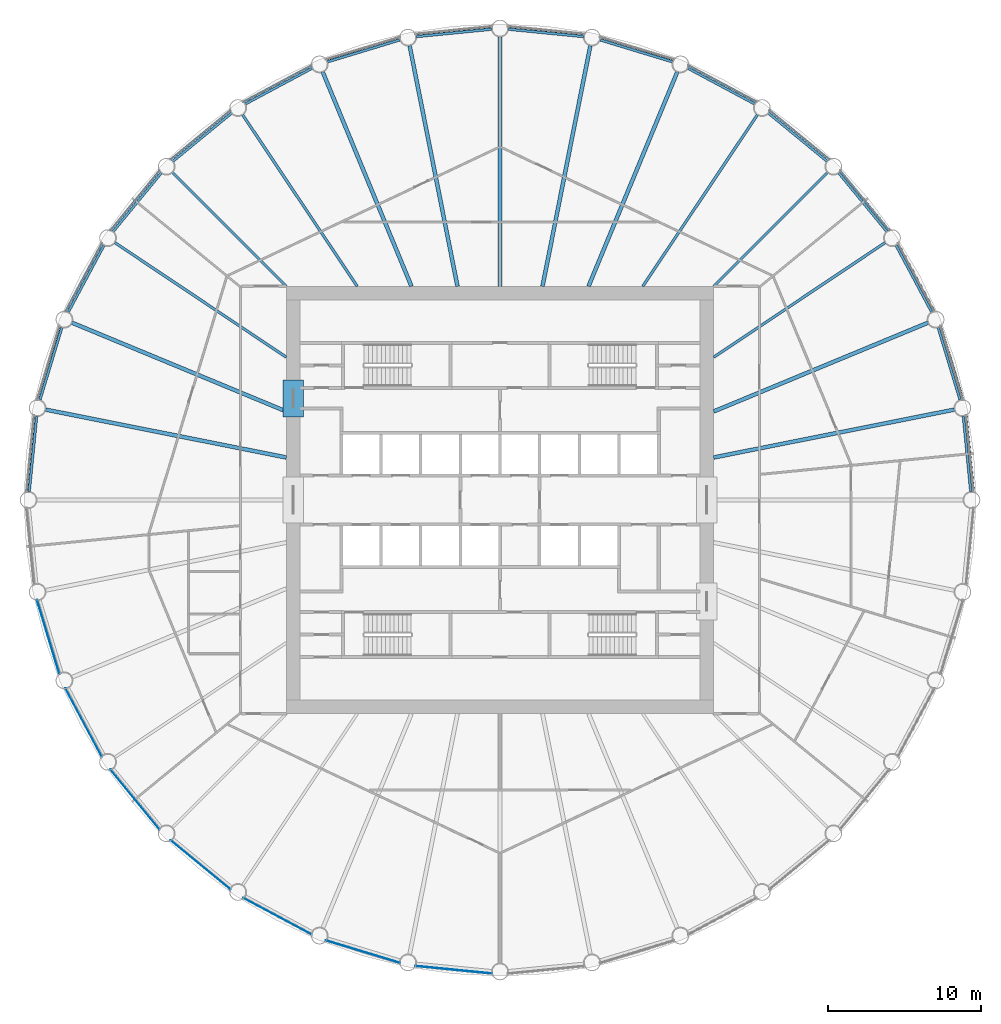
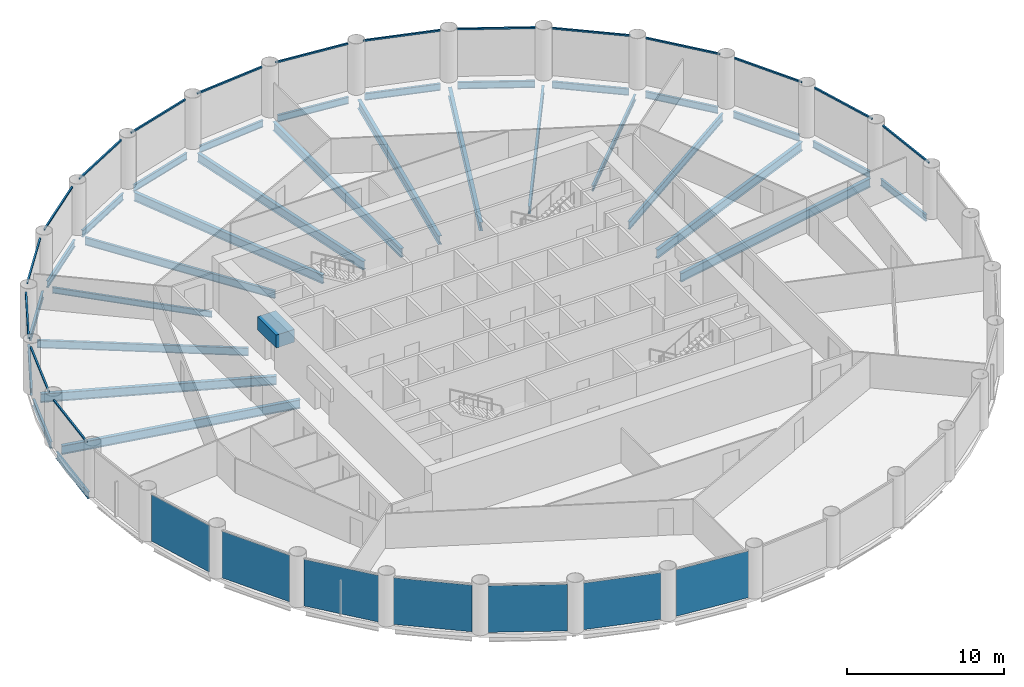
# One storey, part 2 of 9: 32 beams, 16 members, 7 plates, 23 elements without a shape of their own.
"""IFC4 building model written with IfcOpenShell, lengths in metres."""

from ifc_helpers import new_model, si_unit, direction, frame, origin, origin_2d, place, context, subcontext, project, spatial, rectangle, i_section, extrude, material, layer, layer_set, material_profile, profile_set, type_object, element, aggregate, save


model = new_model("IFC4")

# Units and contexts
model_context = context("Model", 3, precision=1e-05, world=origin(), true_north=direction((0.0, 1.0)))
body_context = subcontext(model_context, "Body", "Model", "MODEL_VIEW")
ifc_project = project(units=[si_unit("LENGTHUNIT", "METRE"), si_unit("AREAUNIT", "SQUARE_METRE"), si_unit("VOLUMEUNIT", "CUBIC_METRE"), si_unit("PLANEANGLEUNIT", "RADIAN"), si_unit("MASSUNIT", "GRAM", prefix="KILO")], contexts=[model_context])

# Site, building, storey
site_placement = place(None, origin())
site = spatial("IfcSite", under=ifc_project, at=site_placement, CompositionType="ELEMENT")
building_placement = place(site_placement, origin())
building = spatial("IfcBuilding", under=site, at=building_placement, Name="Corvane Civic Tower", CompositionType="ELEMENT")
storey_placement = place(building_placement, frame((0.0, 0.0, 172.0)))
storey = spatial("IfcBuildingStorey", under=building, at=storey_placement, Name="L40", CompositionType="ELEMENT", Elevation=172.0)

# Beams
ifc_material_1 = material(Name="Concrete C60/75", Category="concrete")
ifc_material_profile_1 = material_profile(ifc_material_1, rectangle(XDim=1.35009765625, YDim=1.0, at=origin_2d()), Name="COUPLING BEAM 1350X1000")
ifc_profile_set_1 = profile_set([ifc_material_profile_1], Name="Concrete C60/75")
beam_type_1 = type_object("IfcBeamType", Name="COUPLING BEAM COUPLING BEAM 1350X1000", PredefinedType="BEAM", material=ifc_profile_set_1)
beam_1_placement = place(storey_placement, frame((-13.550048828125, 5.449951171875, 2.60009765625), z_axis=(0.0, 1.0, 0.0), x_axis=(-1.0, 0.0, 0.0)))
element("IfcBeam", 1, at=beam_1_placement, inside=storey, type_object=beam_type_1, Name="BM-L40-cpl-CW-WN", PredefinedType="BEAM", context=body_context, shape_type="SweptSolid", body=[
    extrude(rectangle(XDim=1.35009765625, YDim=1.0, at=origin_2d()), origin(), (0.0, 0.0, 1.0), 2.400146484375),
])
ifc_material_2 = material(Name="Steel ASTM A992 Gr 50", Category="steel")
ifc_material_profile_2 = material_profile(ifc_material_2, i_section(OverallWidth=0.165771484375, OverallDepth=0.5283203125, WebThickness=0.009765625, FlangeThickness=0.013671875, at=origin_2d()), Name="W21X50")
ifc_profile_set_2 = profile_set([ifc_material_profile_2], Name="Steel ASTM A992 Gr 50")
beam_type_2 = type_object("IfcBeamType", Name="EDGE BEAM W21X50", PredefinedType="BEAM", material=ifc_profile_set_2)
beam_2_placement = place(storey_placement, frame((0.54736328125, 30.845947265625, -0.564208984375), z_axis=(0.995186236294, -0.09800181167, 0.0), x_axis=(0.09800181167, 0.995186236294, 0.0)))
element("IfcBeam", 2, at=beam_2_placement, inside=storey, type_object=beam_type_2, Name="BM-L40-E01", PredefinedType="BEAM", context=body_context, shape_type="SweptSolid", body=[
    extrude(i_section(OverallWidth=0.165771484375, OverallDepth=0.5283203125, WebThickness=0.009765625, FlangeThickness=0.013671875, at=origin_2d()), origin(), (0.0, 0.0, 1.0), 4.95751953125),
])
beam_3_placement = place(storey_placement, frame((6.5546875, 30.146484375, -0.564208984375), z_axis=(0.956944842086, -0.290269821381, 0.0), x_axis=(0.290269821381, 0.956944842086, 0.0)))
element("IfcBeam", 3, at=beam_3_placement, inside=storey, type_object=beam_type_2, Name="BM-L40-E02", PredefinedType="BEAM", context=body_context, shape_type="SweptSolid", body=[
    extrude(i_section(OverallWidth=0.165771484375, OverallDepth=0.5283203125, WebThickness=0.009765625, FlangeThickness=0.013671875, at=origin_2d()), origin(), (0.0, 0.0, 1.0), 4.957275390625),
])
for number, where, z_axis, x_axis, name in (
    (4, (12.31005859375, 28.28857421875, -0.564208984375), (0.881921784846, -0.471395763042, 0.0), (0.471395763042, 0.881921784846, 0.0), "BM-L40-E03"),
    (5, (17.59228515625, 25.343505859375, -0.564208984375), (0.77301516208, -0.634387546532, 0.0), (0.634387546532, 0.77301516208, 0.0), "BM-L40-E04"),
    (6, (22.198486328125, 21.424560546875, -0.564208984375), (0.634387546532, -0.77301516208, 0.0), (0.77301516208, 0.634387546532, 0.0), "BM-L40-E05"),
    (7, (25.95166015625, 16.68212890625, -0.564208984375), (0.471395763042, -0.881921784846, 0.0), (0.881921784846, 0.471395763042, 0.0), "BM-L40-E06"),
):
    element("IfcBeam", number, at=place(storey_placement, frame(where, z_axis=z_axis, x_axis=x_axis)), inside=storey, type_object=beam_type_2, Name=name, PredefinedType="BEAM", context=body_context, shape_type="SweptSolid", body=[
        extrude(i_section(OverallWidth=0.165771484375, OverallDepth=0.5283203125, WebThickness=0.009765625, FlangeThickness=0.013671875, at=origin_2d()), origin(), (0.0, 0.0, 1.0), 4.95751953125),
    ])
beam_4_placement = place(storey_placement, frame((28.70751953125, 11.298583984375, -0.564208984375), z_axis=(0.290269821381, -0.956944842086, 0.0), x_axis=(0.956944842086, 0.290269821381, 0.0)))
element("IfcBeam", 8, at=beam_4_placement, inside=storey, type_object=beam_type_2, Name="BM-L40-E07", PredefinedType="BEAM", context=body_context, shape_type="SweptSolid", body=[
    extrude(i_section(OverallWidth=0.165771484375, OverallDepth=0.5283203125, WebThickness=0.009765625, FlangeThickness=0.013671875, at=origin_2d()), origin(), (0.0, 0.0, 1.0), 4.957275390625),
])
for number, where, z_axis, x_axis, name in (
    (9, (30.360107421875, 5.48095703125, -0.564208984375), (0.09800181167, -0.995186236294, 0.0), (0.995186236294, 0.09800181167, 0.0), "BM-L40-E08"),
    (10, (-30.845947265625, 0.54736328125, -0.564208984375), (0.09800181167, 0.995186236294, 0.0), (-0.995186236294, 0.09800181167, 0.0), "BM-L40-E25"),
):
    element("IfcBeam", number, at=place(storey_placement, frame(where, z_axis=z_axis, x_axis=x_axis)), inside=storey, type_object=beam_type_2, Name=name, PredefinedType="BEAM", context=body_context, shape_type="SweptSolid", body=[
        extrude(i_section(OverallWidth=0.165771484375, OverallDepth=0.5283203125, WebThickness=0.009765625, FlangeThickness=0.013671875, at=origin_2d()), origin(), (0.0, 0.0, 1.0), 4.95751953125),
    ])
beam_5_placement = place(storey_placement, frame((-30.146484375, 6.5546875, -0.564208984375), z_axis=(0.290269821381, 0.956944842086, 0.0), x_axis=(-0.956944842086, 0.290269821381, 0.0)))
element("IfcBeam", 11, at=beam_5_placement, inside=storey, type_object=beam_type_2, Name="BM-L40-E26", PredefinedType="BEAM", context=body_context, shape_type="SweptSolid", body=[
    extrude(i_section(OverallWidth=0.165771484375, OverallDepth=0.5283203125, WebThickness=0.009765625, FlangeThickness=0.013671875, at=origin_2d()), origin(), (0.0, 0.0, 1.0), 4.957275390625),
])
for number, where, z_axis, x_axis, name in (
    (12, (-28.28857421875, 12.31005859375, -0.564208984375), (0.471395763042, 0.881921784846, 0.0), (-0.881921784846, 0.471395763042, 0.0), "BM-L40-E27"),
    (13, (-25.343505859375, 17.59228515625, -0.564208984375), (0.634387546532, 0.77301516208, 0.0), (-0.77301516208, 0.634387546532, 0.0), "BM-L40-E28"),
    (14, (-21.424560546875, 22.198486328125, -0.564208984375), (0.77301516208, 0.634387546532, 0.0), (-0.634387546532, 0.77301516208, 0.0), "BM-L40-E29"),
    (15, (-16.68212890625, 25.95166015625, -0.564208984375), (0.881921784846, 0.471395763042, 0.0), (-0.471395763042, 0.881921784846, 0.0), "BM-L40-E30"),
):
    element("IfcBeam", number, at=place(storey_placement, frame(where, z_axis=z_axis, x_axis=x_axis)), inside=storey, type_object=beam_type_2, Name=name, PredefinedType="BEAM", context=body_context, shape_type="SweptSolid", body=[
        extrude(i_section(OverallWidth=0.165771484375, OverallDepth=0.5283203125, WebThickness=0.009765625, FlangeThickness=0.013671875, at=origin_2d()), origin(), (0.0, 0.0, 1.0), 4.95751953125),
    ])
beam_6_placement = place(storey_placement, frame((-11.298583984375, 28.70751953125, -0.564208984375), z_axis=(0.956944842086, 0.290269821381, 0.0), x_axis=(-0.290269821381, 0.956944842086, 0.0)))
element("IfcBeam", 16, at=beam_6_placement, inside=storey, type_object=beam_type_2, Name="BM-L40-E31", PredefinedType="BEAM", context=body_context, shape_type="SweptSolid", body=[
    extrude(i_section(OverallWidth=0.165771484375, OverallDepth=0.5283203125, WebThickness=0.009765625, FlangeThickness=0.013671875, at=origin_2d()), origin(), (0.0, 0.0, 1.0), 4.957275390625),
])
beam_7_placement = place(storey_placement, frame((-5.48095703125, 30.360107421875, -0.564208984375), z_axis=(0.995186236294, 0.09800181167, 0.0), x_axis=(-0.09800181167, 0.995186236294, 0.0)))
element("IfcBeam", 17, at=beam_7_placement, inside=storey, type_object=beam_type_2, Name="BM-L40-E32", PredefinedType="BEAM", context=body_context, shape_type="SweptSolid", body=[
    extrude(i_section(OverallWidth=0.165771484375, OverallDepth=0.5283203125, WebThickness=0.009765625, FlangeThickness=0.013671875, at=origin_2d()), origin(), (0.0, 0.0, 1.0), 4.95751953125),
])
ifc_material_3 = material(Name="Steel ASTM A992 Gr 50", Category="steel")
ifc_material_profile_3 = material_profile(ifc_material_3, i_section(OverallWidth=0.15283203125, OverallDepth=0.45458984375, WebThickness=0.008056640625, FlangeThickness=0.013427734375, at=origin_2d()), Name="W18X40")
ifc_profile_set_3 = profile_set([ifc_material_profile_3], Name="Steel ASTM A992 Gr 50")
beam_type_3 = type_object("IfcBeamType", Name="FLOOR GIRDER W18X40", PredefinedType="BEAM", material=ifc_profile_set_3)
for number, where, z_axis, x_axis, name in (
    (18, (14.0, 14.0, -0.52734375), (0.707106781187, 0.707106781187, 0.0), (-0.707106781187, 0.707106781187, 0.0), "BM-L40-G05"),
    (19, (-14.0, 14.0, -0.52734375), (-0.707106781187, 0.707106781187, 0.0), (-0.707106781187, -0.707106781187, 0.0), "BM-L40-G29"),
):
    element("IfcBeam", number, at=place(storey_placement, frame(where, z_axis=z_axis, x_axis=x_axis)), inside=storey, type_object=beam_type_3, Name=name, PredefinedType="BEAM", context=body_context, shape_type="SweptSolid", body=[
        extrude(i_section(OverallWidth=0.15283203125, OverallDepth=0.45458984375, WebThickness=0.008056640625, FlangeThickness=0.013427734375, at=origin_2d()), origin(), (0.0, 0.0, 1.0), 10.551025390625),
    ])
ifc_material_4 = material(Name="Steel ASTM A992 Gr 50", Category="steel")
ifc_material_profile_4 = material_profile(ifc_material_4, i_section(OverallWidth=0.177978515625, OverallDepth=0.599365234375, WebThickness=0.010009765625, FlangeThickness=0.012939453125, at=origin_2d()), Name="W24X55")
ifc_profile_set_4 = profile_set([ifc_material_profile_4], Name="Steel ASTM A992 Gr 50")
beam_type_4 = type_object("IfcBeamType", Name="FLOOR GIRDER W24X55", PredefinedType="BEAM", material=ifc_profile_set_4)
for number, where, z_axis, x_axis, name in (
    (20, (9.3544921875, 14.0, -0.599609375), (0.555571323015, 0.83146888399, 0.0), (-0.83146888399, 0.555571323015, 0.0), "BM-L40-G04"),
    (21, (14.0, 9.3544921875, -0.599609375), (0.83146888399, 0.555571323015, 0.0), (-0.555571323015, 0.83146888399, 0.0), "BM-L40-G06"),
    (22, (-14.0, 9.3544921875, -0.599609375), (-0.83146888399, 0.555571323015, 0.0), (-0.555571323015, -0.83146888399, 0.0), "BM-L40-G28"),
    (23, (-9.3544921875, 14.0, -0.599609375), (-0.555571323015, 0.83146888399, 0.0), (-0.83146888399, -0.555571323015, 0.0), "BM-L40-G30"),
):
    element("IfcBeam", number, at=place(storey_placement, frame(where, z_axis=z_axis, x_axis=x_axis)), inside=storey, type_object=beam_type_4, Name=name, PredefinedType="BEAM", context=body_context, shape_type="SweptSolid", body=[
        extrude(i_section(OverallWidth=0.177978515625, OverallDepth=0.599365234375, WebThickness=0.010009765625, FlangeThickness=0.012939453125, at=origin_2d()), origin(), (0.0, 0.0, 1.0), 13.512451171875),
    ])
ifc_material_5 = material(Name="Steel ASTM A992 Gr 50", Category="steel")
ifc_material_profile_5 = material_profile(ifc_material_5, i_section(OverallWidth=0.25390625, OverallDepth=0.67822265625, WebThickness=0.01171875, FlangeThickness=0.016357421875, at=origin_2d()), Name="W27X84")
ifc_profile_set_5 = profile_set([ifc_material_profile_5], Name="Steel ASTM A992 Gr 50")
beam_type_5 = type_object("IfcBeamType", Name="FLOOR GIRDER W27X84", PredefinedType="BEAM", material=ifc_profile_set_5)
beam_8_placement = place(storey_placement, frame((0.0, 14.0, -0.63916015625), z_axis=(0.0, 1.0, 0.0), x_axis=(-1.0, 0.0, 0.0)))
element("IfcBeam", 24, at=beam_8_placement, inside=storey, type_object=beam_type_5, Name="BM-L40-G01", PredefinedType="BEAM", context=body_context, shape_type="SweptSolid", body=[
    extrude(i_section(OverallWidth=0.25390625, OverallDepth=0.67822265625, WebThickness=0.01171875, FlangeThickness=0.016357421875, at=origin_2d()), origin(), (0.0, 0.0, 1.0), 16.35009765625),
])
beam_9_placement = place(storey_placement, frame((2.78466796875, 14.0, -0.63916015625), z_axis=(0.195090912248, 0.980785162999, 0.0), x_axis=(-0.980785162999, 0.195090912248, 0.0)))
element("IfcBeam", 25, at=beam_9_placement, inside=storey, type_object=beam_type_5, Name="BM-L40-G02", PredefinedType="BEAM", context=body_context, shape_type="SweptSolid", body=[
    extrude(i_section(OverallWidth=0.25390625, OverallDepth=0.67822265625, WebThickness=0.01171875, FlangeThickness=0.016357421875, at=origin_2d()), origin(), (0.0, 0.0, 1.0), 16.07568359375),
])
for number, where, z_axis, x_axis, name in (
    (26, (5.799072265625, 14.0, -0.63916015625), (0.38268097323, 0.923880551114, 0.0), (-0.923880551114, 0.38268097323, 0.0), "BM-L40-G03"),
    (27, (14.0, 5.799072265625, -0.63916015625), (0.923880551114, 0.38268097323, 0.0), (-0.38268097323, 0.923880551114, 0.0), "BM-L40-G07"),
):
    element("IfcBeam", number, at=place(storey_placement, frame(where, z_axis=z_axis, x_axis=x_axis)), inside=storey, type_object=beam_type_5, Name=name, PredefinedType="BEAM", context=body_context, shape_type="SweptSolid", body=[
        extrude(i_section(OverallWidth=0.25390625, OverallDepth=0.67822265625, WebThickness=0.01171875, FlangeThickness=0.016357421875, at=origin_2d()), origin(), (0.0, 0.0, 1.0), 15.196533203125),
    ])
for number, where, z_axis, x_axis, name in (
    (28, (14.0, 2.78466796875, -0.63916015625), (0.980785162999, 0.195090912248, 0.0), (-0.195090912248, 0.980785162999, 0.0), "BM-L40-G08"),
    (29, (-14.0, 2.78466796875, -0.63916015625), (-0.980785162999, 0.195090912248, 0.0), (-0.195090912248, -0.980785162999, 0.0), "BM-L40-G26"),
):
    element("IfcBeam", number, at=place(storey_placement, frame(where, z_axis=z_axis, x_axis=x_axis)), inside=storey, type_object=beam_type_5, Name=name, PredefinedType="BEAM", context=body_context, shape_type="SweptSolid", body=[
        extrude(i_section(OverallWidth=0.25390625, OverallDepth=0.67822265625, WebThickness=0.01171875, FlangeThickness=0.016357421875, at=origin_2d()), origin(), (0.0, 0.0, 1.0), 16.07568359375),
    ])
for number, where, z_axis, x_axis, name in (
    (30, (-14.0, 5.799072265625, -0.63916015625), (-0.923880551114, 0.38268097323, 0.0), (-0.38268097323, -0.923880551114, 0.0), "BM-L40-G27"),
    (31, (-5.799072265625, 14.0, -0.63916015625), (-0.38268097323, 0.923880551114, 0.0), (-0.923880551114, -0.38268097323, 0.0), "BM-L40-G31"),
):
    element("IfcBeam", number, at=place(storey_placement, frame(where, z_axis=z_axis, x_axis=x_axis)), inside=storey, type_object=beam_type_5, Name=name, PredefinedType="BEAM", context=body_context, shape_type="SweptSolid", body=[
        extrude(i_section(OverallWidth=0.25390625, OverallDepth=0.67822265625, WebThickness=0.01171875, FlangeThickness=0.016357421875, at=origin_2d()), origin(), (0.0, 0.0, 1.0), 15.196533203125),
    ])
beam_10_placement = place(storey_placement, frame((-2.78466796875, 14.0, -0.63916015625), z_axis=(-0.195090912248, 0.980785162999, 0.0), x_axis=(-0.980785162999, -0.195090912248, 0.0)))
element("IfcBeam", 32, at=beam_10_placement, inside=storey, type_object=beam_type_5, Name="BM-L40-G32", PredefinedType="BEAM", context=body_context, shape_type="SweptSolid", body=[
    extrude(i_section(OverallWidth=0.25390625, OverallDepth=0.67822265625, WebThickness=0.01171875, FlangeThickness=0.016357421875, at=origin_2d()), origin(), (0.0, 0.0, 1.0), 16.07568359375),
])

# Curtain wall, member
ifc_material_6 = material(Name="Anodised aluminium bronze", Category="aluminium")
curtain_wall_type = type_object("IfcCurtainWallType", Name="TOWER CW-T2 STICK CURTAIN WALL", PredefinedType="NOTDEFINED", material=ifc_material_6)
curtain_wall_1_placement = place(storey_placement, origin())
curtain_wall_1 = element("IfcCurtainWall", 33, at=curtain_wall_1_placement, inside=storey, type_object=curtain_wall_type, Name="Curtain wall CW-T2 L40 bay 01", PredefinedType="NOTDEFINED")
ifc_material_7 = material(Name="Anodised aluminium bronze", Category="aluminium")
ifc_material_profile_6 = material_profile(ifc_material_7, rectangle(XDim=0.1201171875, YDim=0.1201171875, at=origin_2d()), Name="TOWER CW-T2 TRANSOM 120x120")
ifc_profile_set_6 = profile_set([ifc_material_profile_6], Name="Anodised aluminium bronze")
member_type = type_object("IfcMemberType", Name="TOWER CW-T2 TRANSOM 120x120", PredefinedType="USERDEFINED", material=ifc_profile_set_6)
member_1_placement = place(storey_placement, frame((0.505126953125, 31.0302734375, 3.68994140625), z_axis=(0.995187423416, -0.097989755963, 0.0), x_axis=(0.097989755963, 0.995187423416, 0.0)))
member_1 = element("IfcMember", 34, at=member_1_placement, type_object=member_type, Name="Transom CW-T2 L40 01.1", ObjectType="TRANSOM", PredefinedType="USERDEFINED", context=body_context, shape_type="SweptSolid", body=[
    extrude(rectangle(XDim=0.1201171875, YDim=0.1201171875, at=origin_2d()), origin(), (0.0, 0.0, 1.0), 5.07763671875),
])
aggregate(curtain_wall_1, [member_1])

curtain_wall_2_placement = place(storey_placement, origin())
curtain_wall_2 = element("IfcCurtainWall", 35, at=curtain_wall_2_placement, inside=storey, type_object=curtain_wall_type, Name="Curtain wall CW-T2 L40 bay 02", PredefinedType="NOTDEFINED")
member_2_placement = place(storey_placement, frame((6.54931640625, 30.33544921875, 3.68994140625), z_axis=(0.956939031389, -0.290288977061, 0.0), x_axis=(0.290288977061, 0.956939031389, 0.0)))
member_2 = element("IfcMember", 36, at=member_2_placement, type_object=member_type, Name="Transom CW-T2 L40 02.1", ObjectType="TRANSOM", PredefinedType="USERDEFINED", context=body_context, shape_type="SweptSolid", body=[
    extrude(rectangle(XDim=0.1201171875, YDim=0.1201171875, at=origin_2d()), origin(), (0.0, 0.0, 1.0), 5.077392578125),
])
aggregate(curtain_wall_2, [member_2])

curtain_wall_3_placement = place(storey_placement, origin())
curtain_wall_3 = element("IfcCurtainWall", 37, at=curtain_wall_3_placement, inside=storey, type_object=curtain_wall_type, Name="Curtain wall CW-T2 L40 bay 03", PredefinedType="NOTDEFINED")
member_3_placement = place(storey_placement, frame((12.341552734375, 28.474853515625, 3.68994140625), z_axis=(0.881921329426, -0.471396615074, 0.0), x_axis=(0.471396615074, 0.881921329426, 0.0)))
member_3 = element("IfcMember", 38, at=member_3_placement, type_object=member_type, Name="Transom CW-T2 L40 03.1", ObjectType="TRANSOM", PredefinedType="USERDEFINED", context=body_context, shape_type="SweptSolid", body=[
    extrude(rectangle(XDim=0.1201171875, YDim=0.1201171875, at=origin_2d()), origin(), (0.0, 0.0, 1.0), 5.07763671875),
])
aggregate(curtain_wall_3, [member_3])

curtain_wall_4_placement = place(storey_placement, origin())
curtain_wall_4 = element("IfcCurtainWall", 39, at=curtain_wall_4_placement, inside=storey, type_object=curtain_wall_type, Name="Curtain wall CW-T2 L40 bay 04", PredefinedType="NOTDEFINED")
member_4_placement = place(storey_placement, frame((17.65966796875, 25.519775390625, 3.68994140625), z_axis=(0.773015929719, -0.634386611146, 0.0), x_axis=(0.634386611146, 0.773015929719, 0.0)))
member_4 = element("IfcMember", 40, at=member_4_placement, type_object=member_type, Name="Transom CW-T2 L40 04.1", ObjectType="TRANSOM", PredefinedType="USERDEFINED", context=body_context, shape_type="SweptSolid", body=[
    extrude(rectangle(XDim=0.1201171875, YDim=0.1201171875, at=origin_2d()), origin(), (0.0, 0.0, 1.0), 5.0771484375),
])
aggregate(curtain_wall_4, [member_4])

curtain_wall_5_placement = place(storey_placement, origin())
curtain_wall_5 = element("IfcCurtainWall", 41, at=curtain_wall_5_placement, inside=storey, type_object=curtain_wall_type, Name="Curtain wall CW-T2 L40 bay 05", PredefinedType="NOTDEFINED")
member_5_placement = place(storey_placement, frame((22.298828125, 21.58447265625, 3.68994140625), z_axis=(0.634386611146, -0.773015929719, 0.0), x_axis=(0.773015929719, 0.634386611146, 0.0)))
member_5 = element("IfcMember", 42, at=member_5_placement, type_object=member_type, Name="Transom CW-T2 L40 05.1", ObjectType="TRANSOM", PredefinedType="USERDEFINED", context=body_context, shape_type="SweptSolid", body=[
    extrude(rectangle(XDim=0.1201171875, YDim=0.1201171875, at=origin_2d()), origin(), (0.0, 0.0, 1.0), 5.0771484375),
])
aggregate(curtain_wall_5, [member_5])

curtain_wall_6_placement = place(storey_placement, origin())
curtain_wall_6 = element("IfcCurtainWall", 43, at=curtain_wall_6_placement, inside=storey, type_object=curtain_wall_type, Name="Curtain wall CW-T2 L40 bay 06", PredefinedType="NOTDEFINED")
member_6_placement = place(storey_placement, frame((26.081298828125, 16.819580078125, 3.68994140625), z_axis=(0.471396615074, -0.881921329426, 0.0), x_axis=(0.881921329426, 0.471396615074, 0.0)))
member_6 = element("IfcMember", 44, at=member_6_placement, type_object=member_type, Name="Transom CW-T2 L40 06.1", ObjectType="TRANSOM", PredefinedType="USERDEFINED", context=body_context, shape_type="SweptSolid", body=[
    extrude(rectangle(XDim=0.1201171875, YDim=0.1201171875, at=origin_2d()), origin(), (0.0, 0.0, 1.0), 5.07763671875),
])
aggregate(curtain_wall_6, [member_6])

curtain_wall_7_placement = place(storey_placement, origin())
curtain_wall_7 = element("IfcCurtainWall", 45, at=curtain_wall_7_placement, inside=storey, type_object=curtain_wall_type, Name="Curtain wall CW-T2 L40 bay 07", PredefinedType="NOTDEFINED")
member_7_placement = place(storey_placement, frame((28.861572265625, 11.407958984375, 3.68994140625), z_axis=(0.290288977061, -0.956939031389, 0.0), x_axis=(0.956939031389, 0.290288977061, 0.0)))
member_7 = element("IfcMember", 46, at=member_7_placement, type_object=member_type, Name="Transom CW-T2 L40 07.1", ObjectType="TRANSOM", PredefinedType="USERDEFINED", context=body_context, shape_type="SweptSolid", body=[
    extrude(rectangle(XDim=0.1201171875, YDim=0.1201171875, at=origin_2d()), origin(), (0.0, 0.0, 1.0), 5.077392578125),
])
aggregate(curtain_wall_7, [member_7])

curtain_wall_8_placement = place(storey_placement, origin())
curtain_wall_8 = element("IfcCurtainWall", 47, at=curtain_wall_8_placement, inside=storey, type_object=curtain_wall_type, Name="Curtain wall CW-T2 L40 bay 08", PredefinedType="NOTDEFINED")
member_8_placement = place(storey_placement, frame((30.53271484375, 5.558349609375, 3.68994140625), z_axis=(0.097989755963, -0.995187423416, 0.0), x_axis=(0.995187423416, 0.097989755963, 0.0)))
member_8 = element("IfcMember", 48, at=member_8_placement, type_object=member_type, Name="Transom CW-T2 L40 08.1", ObjectType="TRANSOM", PredefinedType="USERDEFINED", context=body_context, shape_type="SweptSolid", body=[
    extrude(rectangle(XDim=0.1201171875, YDim=0.1201171875, at=origin_2d()), origin(), (0.0, 0.0, 1.0), 5.07763671875),
])
aggregate(curtain_wall_8, [member_8])

curtain_wall_9_placement = place(storey_placement, origin())
curtain_wall_9 = element("IfcCurtainWall", 49, at=curtain_wall_9_placement, inside=storey, type_object=curtain_wall_type, Name="Curtain wall CW-T2 L40 bay 25", PredefinedType="NOTDEFINED")
member_9_placement = place(storey_placement, frame((-31.0302734375, 0.505126953125, 3.68994140625), z_axis=(0.097989755963, 0.995187423416, 0.0), x_axis=(-0.995187423416, 0.097989755963, 0.0)))
member_9 = element("IfcMember", 50, at=member_9_placement, type_object=member_type, Name="Transom CW-T2 L40 25.1", ObjectType="TRANSOM", PredefinedType="USERDEFINED", context=body_context, shape_type="SweptSolid", body=[
    extrude(rectangle(XDim=0.1201171875, YDim=0.1201171875, at=origin_2d()), origin(), (0.0, 0.0, 1.0), 5.07763671875),
])
aggregate(curtain_wall_9, [member_9])

curtain_wall_10_placement = place(storey_placement, origin())
curtain_wall_10 = element("IfcCurtainWall", 51, at=curtain_wall_10_placement, inside=storey, type_object=curtain_wall_type, Name="Curtain wall CW-T2 L40 bay 26", PredefinedType="NOTDEFINED")
member_10_placement = place(storey_placement, frame((-30.33544921875, 6.54931640625, 3.68994140625), z_axis=(0.290288977061, 0.956939031389, 0.0), x_axis=(-0.956939031389, 0.290288977061, 0.0)))
member_10 = element("IfcMember", 52, at=member_10_placement, type_object=member_type, Name="Transom CW-T2 L40 26.1", ObjectType="TRANSOM", PredefinedType="USERDEFINED", context=body_context, shape_type="SweptSolid", body=[
    extrude(rectangle(XDim=0.1201171875, YDim=0.1201171875, at=origin_2d()), origin(), (0.0, 0.0, 1.0), 5.077392578125),
])
aggregate(curtain_wall_10, [member_10])

curtain_wall_11_placement = place(storey_placement, origin())
curtain_wall_11 = element("IfcCurtainWall", 53, at=curtain_wall_11_placement, inside=storey, type_object=curtain_wall_type, Name="Curtain wall CW-T2 L40 bay 27", PredefinedType="NOTDEFINED")
member_11_placement = place(storey_placement, frame((-28.474853515625, 12.341552734375, 3.68994140625), z_axis=(0.471396615074, 0.881921329426, 0.0), x_axis=(-0.881921329426, 0.471396615074, 0.0)))
member_11 = element("IfcMember", 54, at=member_11_placement, type_object=member_type, Name="Transom CW-T2 L40 27.1", ObjectType="TRANSOM", PredefinedType="USERDEFINED", context=body_context, shape_type="SweptSolid", body=[
    extrude(rectangle(XDim=0.1201171875, YDim=0.1201171875, at=origin_2d()), origin(), (0.0, 0.0, 1.0), 5.07763671875),
])
aggregate(curtain_wall_11, [member_11])

curtain_wall_12_placement = place(storey_placement, origin())
curtain_wall_12 = element("IfcCurtainWall", 55, at=curtain_wall_12_placement, inside=storey, type_object=curtain_wall_type, Name="Curtain wall CW-T2 L40 bay 28", PredefinedType="NOTDEFINED")
member_12_placement = place(storey_placement, frame((-25.519775390625, 17.65966796875, 3.68994140625), z_axis=(0.634386611146, 0.773015929719, 0.0), x_axis=(-0.773015929719, 0.634386611146, 0.0)))
member_12 = element("IfcMember", 56, at=member_12_placement, type_object=member_type, Name="Transom CW-T2 L40 28.1", ObjectType="TRANSOM", PredefinedType="USERDEFINED", context=body_context, shape_type="SweptSolid", body=[
    extrude(rectangle(XDim=0.1201171875, YDim=0.1201171875, at=origin_2d()), origin(), (0.0, 0.0, 1.0), 5.0771484375),
])
aggregate(curtain_wall_12, [member_12])

curtain_wall_13_placement = place(storey_placement, origin())
curtain_wall_13 = element("IfcCurtainWall", 57, at=curtain_wall_13_placement, inside=storey, type_object=curtain_wall_type, Name="Curtain wall CW-T2 L40 bay 29", PredefinedType="NOTDEFINED")
member_13_placement = place(storey_placement, frame((-21.58447265625, 22.298828125, 3.68994140625), z_axis=(0.773015929719, 0.634386611146, 0.0), x_axis=(-0.634386611146, 0.773015929719, 0.0)))
member_13 = element("IfcMember", 58, at=member_13_placement, type_object=member_type, Name="Transom CW-T2 L40 29.1", ObjectType="TRANSOM", PredefinedType="USERDEFINED", context=body_context, shape_type="SweptSolid", body=[
    extrude(rectangle(XDim=0.1201171875, YDim=0.1201171875, at=origin_2d()), origin(), (0.0, 0.0, 1.0), 5.0771484375),
])
aggregate(curtain_wall_13, [member_13])

curtain_wall_14_placement = place(storey_placement, origin())
curtain_wall_14 = element("IfcCurtainWall", 59, at=curtain_wall_14_placement, inside=storey, type_object=curtain_wall_type, Name="Curtain wall CW-T2 L40 bay 30", PredefinedType="NOTDEFINED")
member_14_placement = place(storey_placement, frame((-16.819580078125, 26.081298828125, 3.68994140625), z_axis=(0.881921329426, 0.471396615074, 0.0), x_axis=(-0.471396615074, 0.881921329426, 0.0)))
member_14 = element("IfcMember", 60, at=member_14_placement, type_object=member_type, Name="Transom CW-T2 L40 30.1", ObjectType="TRANSOM", PredefinedType="USERDEFINED", context=body_context, shape_type="SweptSolid", body=[
    extrude(rectangle(XDim=0.1201171875, YDim=0.1201171875, at=origin_2d()), origin(), (0.0, 0.0, 1.0), 5.07763671875),
])
aggregate(curtain_wall_14, [member_14])

curtain_wall_15_placement = place(storey_placement, origin())
curtain_wall_15 = element("IfcCurtainWall", 61, at=curtain_wall_15_placement, inside=storey, type_object=curtain_wall_type, Name="Curtain wall CW-T2 L40 bay 31", PredefinedType="NOTDEFINED")
member_15_placement = place(storey_placement, frame((-11.407958984375, 28.861572265625, 3.68994140625), z_axis=(0.956939031389, 0.290288977061, 0.0), x_axis=(-0.290288977061, 0.956939031389, 0.0)))
member_15 = element("IfcMember", 62, at=member_15_placement, type_object=member_type, Name="Transom CW-T2 L40 31.1", ObjectType="TRANSOM", PredefinedType="USERDEFINED", context=body_context, shape_type="SweptSolid", body=[
    extrude(rectangle(XDim=0.1201171875, YDim=0.1201171875, at=origin_2d()), origin(), (0.0, 0.0, 1.0), 5.077392578125),
])
aggregate(curtain_wall_15, [member_15])

curtain_wall_16_placement = place(storey_placement, origin())
curtain_wall_16 = element("IfcCurtainWall", 63, at=curtain_wall_16_placement, inside=storey, type_object=curtain_wall_type, Name="Curtain wall CW-T2 L40 bay 32", PredefinedType="NOTDEFINED")
member_16_placement = place(storey_placement, frame((-5.558349609375, 30.53271484375, 3.68994140625), z_axis=(0.995187423416, 0.097989755963, 0.0), x_axis=(-0.097989755963, 0.995187423416, 0.0)))
member_16 = element("IfcMember", 64, at=member_16_placement, type_object=member_type, Name="Transom CW-T2 L40 32.1", ObjectType="TRANSOM", PredefinedType="USERDEFINED", context=body_context, shape_type="SweptSolid", body=[
    extrude(rectangle(XDim=0.1201171875, YDim=0.1201171875, at=origin_2d()), origin(), (0.0, 0.0, 1.0), 5.07763671875),
])
aggregate(curtain_wall_16, [member_16])

# Curtain wall, plate
curtain_wall_17_placement = place(storey_placement, origin())
curtain_wall_17 = element("IfcCurtainWall", 65, at=curtain_wall_17_placement, inside=storey, type_object=curtain_wall_type, Name="Curtain wall CW-T2 L40 bay 17", PredefinedType="NOTDEFINED")
ifc_material_8 = material(Name="Tinted glass", Category="glass")
ifc_layer = layer(ifc_material_8, 0.031982421875)
ifc_layer_set = layer_set([ifc_layer], Name="Tinted glass")
plate_type = type_object("IfcPlateType", Name="TOWER CW-T2 PANEL IGU32", PredefinedType="CURTAIN_PANEL", material=ifc_layer_set)
plate_1_placement = place(storey_placement, frame((-3.03173828125, -30.781494140625, 0.0), z_axis=(0.0, 0.0, 1.0), x_axis=(-0.995185244531, 0.098011882274, 0.0)))
plate_1 = element("IfcPlate", 66, at=plate_1_placement, type_object=plate_type, Name="Glass panel CW-T2 L40 17.1", PredefinedType="CURTAIN_PANEL", context=body_context, shape_type="SweptSolid", body=[
    extrude(rectangle(XDim=5.07763671875, YDim=0.031982421875, at=origin_2d()), origin(), (0.0, 0.0, 1.0), 3.6298828125),
])
aggregate(curtain_wall_17, [plate_1])

curtain_wall_18_placement = place(storey_placement, origin())
curtain_wall_18 = element("IfcCurtainWall", 67, at=curtain_wall_18_placement, inside=storey, type_object=curtain_wall_type, Name="Curtain wall CW-T2 L40 bay 18", PredefinedType="NOTDEFINED")
plate_2_placement = place(storey_placement, frame((-8.978515625, -29.5986328125, 0.0), z_axis=(0.0, 0.0, 1.0), x_axis=(-0.956931677007, 0.290313219714, 0.0)))
plate_2 = element("IfcPlate", 68, at=plate_2_placement, type_object=plate_type, Name="Glass panel CW-T2 L40 18.1", PredefinedType="CURTAIN_PANEL", context=body_context, shape_type="SweptSolid", body=[
    extrude(rectangle(XDim=5.077392578125, YDim=0.031982421875, at=origin_2d()), origin(), (0.0, 0.0, 1.0), 3.6298828125),
])
aggregate(curtain_wall_18, [plate_2])

curtain_wall_19_placement = place(storey_placement, origin())
curtain_wall_19 = element("IfcCurtainWall", 69, at=curtain_wall_19_placement, inside=storey, type_object=curtain_wall_type, Name="Curtain wall CW-T2 L40 bay 19", PredefinedType="NOTDEFINED")
plate_3_placement = place(storey_placement, frame((-14.58056640625, -27.278076171875, 0.0), z_axis=(0.0, 0.0, 1.0), x_axis=(-0.881922190434, 0.471395004238, 0.0)))
plate_3 = element("IfcPlate", 70, at=plate_3_placement, type_object=plate_type, Name="Glass panel CW-T2 L40 19.1", PredefinedType="CURTAIN_PANEL", context=body_context, shape_type="SweptSolid", body=[
    extrude(rectangle(XDim=5.077392578125, YDim=0.031982421875, at=origin_2d()), origin(), (0.0, 0.0, 1.0), 3.6298828125),
])
aggregate(curtain_wall_19, [plate_3])

curtain_wall_20_placement = place(storey_placement, origin())
curtain_wall_20 = element("IfcCurtainWall", 71, at=curtain_wall_20_placement, inside=storey, type_object=curtain_wall_type, Name="Curtain wall CW-T2 L40 bay 20", PredefinedType="NOTDEFINED")
plate_4_placement = place(storey_placement, frame((-19.6220703125, -23.909423828125, 0.0), z_axis=(0.0, 0.0, 1.0), x_axis=(-0.773004844196, 0.634400118891, 0.0)))
plate_4 = element("IfcPlate", 72, at=plate_4_placement, type_object=plate_type, Name="Glass panel CW-T2 L40 20.1", PredefinedType="CURTAIN_PANEL", context=body_context, shape_type="SweptSolid", body=[
    extrude(rectangle(XDim=5.0771484375, YDim=0.031982421875, at=origin_2d()), origin(), (0.0, 0.0, 1.0), 3.6298828125),
])
aggregate(curtain_wall_20, [plate_4])

curtain_wall_21_placement = place(storey_placement, origin())
curtain_wall_21 = element("IfcCurtainWall", 73, at=curtain_wall_21_placement, inside=storey, type_object=curtain_wall_type, Name="Curtain wall CW-T2 L40 bay 21", PredefinedType="NOTDEFINED")
plate_5_placement = place(storey_placement, frame((-23.909423828125, -19.6220703125, 0.0), z_axis=(0.0, 0.0, 1.0), x_axis=(-0.634400118891, 0.773004844196, 0.0)))
plate_5 = element("IfcPlate", 74, at=plate_5_placement, type_object=plate_type, Name="Glass panel CW-T2 L40 21.1", PredefinedType="CURTAIN_PANEL", context=body_context, shape_type="SweptSolid", body=[
    extrude(rectangle(XDim=5.0771484375, YDim=0.031982421875, at=origin_2d()), origin(), (0.0, 0.0, 1.0), 3.6298828125),
])
aggregate(curtain_wall_21, [plate_5])

curtain_wall_22_placement = place(storey_placement, origin())
curtain_wall_22 = element("IfcCurtainWall", 75, at=curtain_wall_22_placement, inside=storey, type_object=curtain_wall_type, Name="Curtain wall CW-T2 L40 bay 22", PredefinedType="NOTDEFINED")
plate_6_placement = place(storey_placement, frame((-27.278076171875, -14.58056640625, 0.0), z_axis=(0.0, 0.0, 1.0), x_axis=(-0.471395004238, 0.881922190434, 0.0)))
plate_6 = element("IfcPlate", 76, at=plate_6_placement, type_object=plate_type, Name="Glass panel CW-T2 L40 22.1", PredefinedType="CURTAIN_PANEL", context=body_context, shape_type="SweptSolid", body=[
    extrude(rectangle(XDim=5.077392578125, YDim=0.031982421875, at=origin_2d()), origin(), (0.0, 0.0, 1.0), 3.6298828125),
])
aggregate(curtain_wall_22, [plate_6])

curtain_wall_23_placement = place(storey_placement, origin())
curtain_wall_23 = element("IfcCurtainWall", 77, at=curtain_wall_23_placement, inside=storey, type_object=curtain_wall_type, Name="Curtain wall CW-T2 L40 bay 23", PredefinedType="NOTDEFINED")
plate_7_placement = place(storey_placement, frame((-29.5986328125, -8.978515625, 0.0), z_axis=(0.0, 0.0, 1.0), x_axis=(-0.290313219714, 0.956931677007, 0.0)))
plate_7 = element("IfcPlate", 78, at=plate_7_placement, type_object=plate_type, Name="Glass panel CW-T2 L40 23.1", PredefinedType="CURTAIN_PANEL", context=body_context, shape_type="SweptSolid", body=[
    extrude(rectangle(XDim=5.077392578125, YDim=0.031982421875, at=origin_2d()), origin(), (0.0, 0.0, 1.0), 3.6298828125),
])
aggregate(curtain_wall_23, [plate_7])

save(model, "model.ifc")
